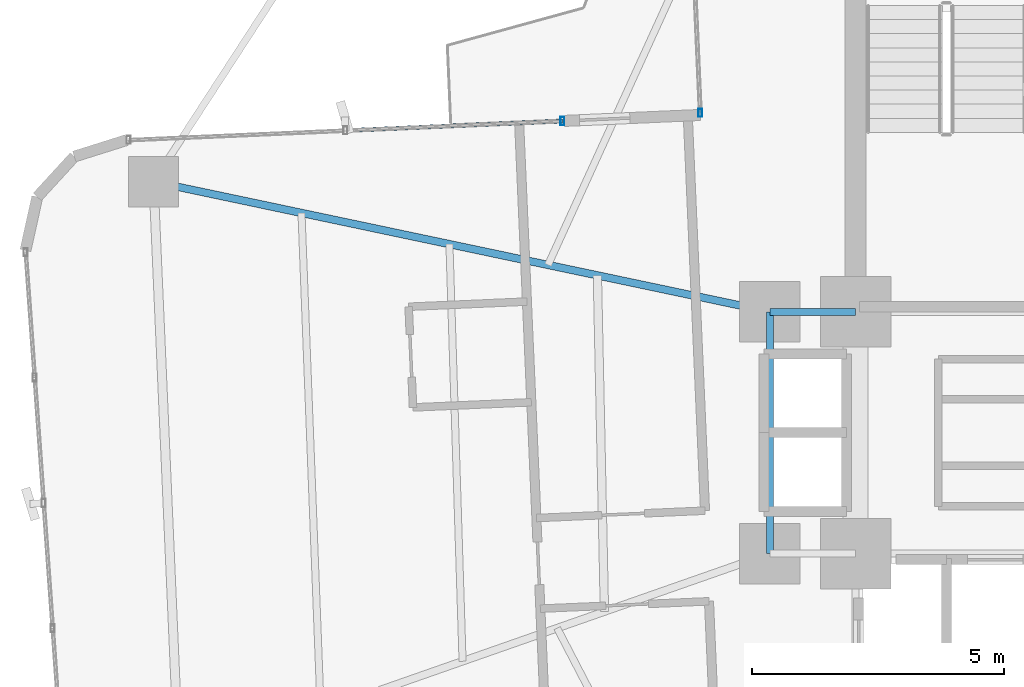
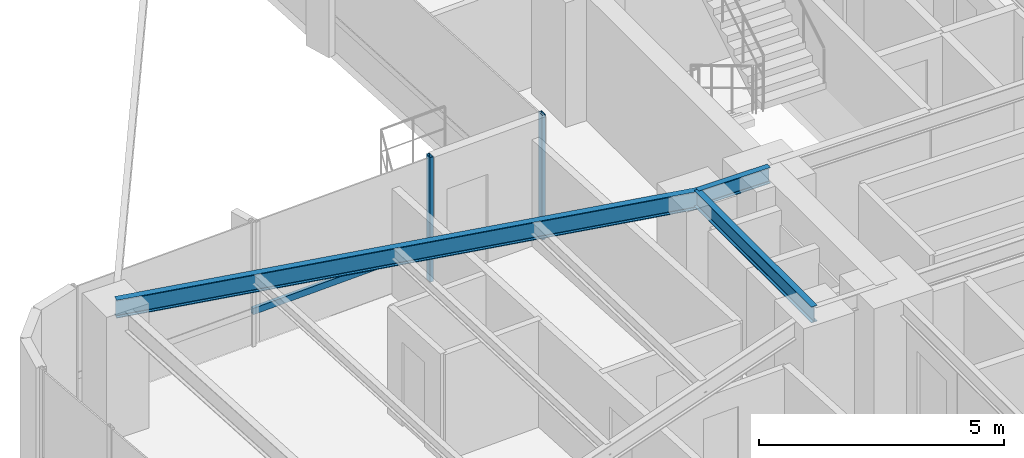
# One storey, part 10 of 26: 3 beams, 3 members, 2 elements without a shape of their own.
"""IFC4 building model written with IfcOpenShell, lengths in metres."""

from ifc_helpers import new_model, si_unit, direction, frame, origin, origin_2d, place, context, subcontext, project, spatial, hollow_rectangle, i_section, extrude, source, transform, mapped, material, material_profile, profile_set, type_object, element, aggregate, save


model = new_model("IFC4")

# Units and contexts
model_context = context("Model", 3, precision=1e-05, world=origin(), true_north=direction((0.0, 1.0)))
body_context = subcontext(model_context, "Body", "Model", "MODEL_VIEW")
ifc_project = project(units=[si_unit("LENGTHUNIT", "METRE"), si_unit("AREAUNIT", "SQUARE_METRE"), si_unit("VOLUMEUNIT", "CUBIC_METRE"), si_unit("PLANEANGLEUNIT", "RADIAN"), si_unit("MASSUNIT", "GRAM", prefix="KILO")], contexts=[model_context])

# Site, building, storey
site_placement = place(None, origin())
site = spatial("IfcSite", under=ifc_project, at=site_placement, CompositionType="ELEMENT")
building_placement = place(site_placement, origin())
building = spatial("IfcBuilding", under=site, at=building_placement, Name="Sahyath Konkavel Grand Hotel", CompositionType="ELEMENT")
storey_placement = place(building_placement, frame((0.0, 0.0, 96.89990234375)))
storey = spatial("IfcBuildingStorey", under=building, at=storey_placement, Name="L26", CompositionType="ELEMENT", Elevation=96.89990234375)

# Beams
ifc_material_1 = material(Name="Steel E350", Category="steel")
ifc_material_profile_1 = material_profile(ifc_material_1, i_section(OverallWidth=0.139892578125, OverallDepth=0.39990234375, WebThickness=0.0087890625, FlangeThickness=0.01611328125, FilletRadius=0.013916015625, at=origin_2d()), Name="ISMB 400")
ifc_profile_set_1 = profile_set([ifc_material_profile_1], Name="Steel E350")
beam_type_1 = type_object("IfcBeamType", Name="BM-ISMB400", PredefinedType="BEAM", material=ifc_profile_set_1)
shared_shape_1 = source(origin(), body_context, "Body", "SweptSolid", [
    extrude(i_section(OverallWidth=0.139892578125, OverallDepth=0.39990234375, WebThickness=0.0087890625, FlangeThickness=0.01611328125, FilletRadius=0.013916015625, at=origin_2d()), origin(), (0.0, 0.0, 1.0), 1.699951171875),
])
beam_1_placement = place(storey_placement, frame((-5.5, 2.39990234375, 2.91015625), z_axis=(1.0, 0.0, 0.0), x_axis=(0.0, 1.0, 0.0)))
element("IfcBeam", 1, at=beam_1_placement, inside=storey, type_object=beam_type_1, Name="str:bm:L26:HB-NW", PredefinedType="BEAM", context=body_context, shape_type="MappedRepresentation", body=[
    mapped(shared_shape_1, transform((0.0, 0.0, 0.0), scale=1.0)),
])
shared_shape_2 = source(origin(), body_context, "Body", "SweptSolid", [
    extrude(i_section(OverallWidth=0.139892578125, OverallDepth=0.39990234375, WebThickness=0.0087890625, FlangeThickness=0.01611328125, FilletRadius=0.013916015625, at=origin_2d()), origin(), (0.0, 0.0, 1.0), 4.7998046875),
])
beam_2_placement = place(storey_placement, frame((-5.5, -2.39990234375, 2.91015625), z_axis=(0.0, 1.0, 0.0), x_axis=(-1.0, 0.0, 0.0)))
element("IfcBeam", 2, at=beam_2_placement, inside=storey, type_object=beam_type_1, Name="str:bm:L26:HB-W", PredefinedType="BEAM", context=body_context, shape_type="MappedRepresentation", body=[
    mapped(shared_shape_2, transform((0.0, 0.0, 0.0), scale=1.0)),
])
ifc_material_profile_2 = material_profile(ifc_material_1, i_section(OverallWidth=0.14990234375, OverallDepth=0.449951171875, WebThickness=0.009521484375, FlangeThickness=0.017333984375, FilletRadius=0.014892578125, at=origin_2d()), Name="ISMB 450")
ifc_profile_set_2 = profile_set([ifc_material_profile_2], Name="Steel E350")
beam_type_2 = type_object("IfcBeamType", Name="BM-ISMB450", PredefinedType="BEAM", material=ifc_profile_set_2)
shared_shape_3 = source(origin(), body_context, "Body", "SweptSolid", [
    extrude(i_section(OverallWidth=0.14990234375, OverallDepth=0.449951171875, WebThickness=0.009521484375, FlangeThickness=0.017333984375, FilletRadius=0.014892578125, at=origin_2d()), origin(), (0.0, 0.0, 1.0), 12.50341796875),
])
beam_3_placement = place(storey_placement, frame((-5.5, 2.39990234375, 2.885009765625), z_axis=(-0.978457911392, 0.206446398937, 0.0), x_axis=(-0.206446398937, -0.978457911392, 0.0)))
element("IfcBeam", 3, at=beam_3_placement, inside=storey, type_object=beam_type_2, Name="L26 Cruciform Radial Girder WA", PredefinedType="BEAM", context=body_context, shape_type="MappedRepresentation", body=[
    mapped(shared_shape_3, transform((0.0, 0.0, 0.0), scale=1.0)),
])

# Curtain wall, member
ifc_material_2 = material(Name="Anodised Bronze Aluminium & Low-E Glazing", Category="aluminium")
curtain_wall_type = type_object("IfcCurtainWallType", Name="CW-ZONE2", PredefinedType="NOTDEFINED", material=ifc_material_2)
curtain_wall_1_placement = place(storey_placement, origin())
curtain_wall_1 = element("IfcCurtainWall", 4, at=curtain_wall_1_placement, inside=storey, type_object=curtain_wall_type, Name="L26 Unitised Curtain Wall F15", PredefinedType="NOTDEFINED")
ifc_material_3 = material(Name="Anodised Bronze Aluminium", Category="aluminium")
ifc_material_profile_3 = material_profile(ifc_material_3, hollow_rectangle(XDim=0.080078125, YDim=0.159912109375, WallThickness=0.006103515625, at=origin_2d()), Name="RHS 160x80x6")
ifc_profile_set_3 = profile_set([ifc_material_profile_3], Name="Anodised Bronze Aluminium")
member_type_1 = type_object("IfcMemberType", Name="CW-MUL-160", PredefinedType="MULLION", material=ifc_profile_set_3)
shared_shape_4 = source(origin(), body_context, "Body", "SweptSolid", [
    extrude(hollow_rectangle(XDim=0.080078125, YDim=0.159912109375, WallThickness=0.006103515625, at=origin_2d()), origin(), (0.0, 0.0, 1.0), 3.110107421875),
])
member_1_placement = place(storey_placement, frame((-6.88330078125, 6.345703125, 0.0), z_axis=(0.0, 0.0, 1.0), x_axis=(1.0, 0.0, 0.0)))
member_1 = element("IfcMember", 5, at=member_1_placement, type_object=member_type_1, Name="L26 Curtain Wall Mullion F15-2", PredefinedType="MULLION", context=body_context, shape_type="MappedRepresentation", body=[
    mapped(shared_shape_4, transform((0.0, 0.0, 0.0), scale=1.0)),
])
aggregate(curtain_wall_1, [member_1])

# Curtain wall, members
curtain_wall_2_placement = place(storey_placement, origin())
curtain_wall_2 = element("IfcCurtainWall", 6, at=curtain_wall_2_placement, inside=storey, type_object=curtain_wall_type, Name="L26 Unitised Curtain Wall F16", PredefinedType="NOTDEFINED")
member_2_placement = place(storey_placement, frame((-9.618896484375, 6.186279296875, 0.0), z_axis=(0.0, 0.0, 1.0), x_axis=(1.0, 0.0, 0.0)))
member_2 = element("IfcMember", 7, at=member_2_placement, type_object=member_type_1, Name="L26 Curtain Wall Mullion F16-0", PredefinedType="MULLION", context=body_context, shape_type="MappedRepresentation", body=[
    mapped(shared_shape_4, transform((0.0, 0.0, 0.0), scale=1.0)),
])
ifc_material_profile_4 = material_profile(ifc_material_3, hollow_rectangle(XDim=0.080078125, YDim=0.159912109375, WallThickness=0.006103515625, at=origin_2d()), Name="RHS 160x80x6")
ifc_profile_set_4 = profile_set([ifc_material_profile_4], Name="Anodised Bronze Aluminium")
member_type_2 = type_object("IfcMemberType", Name="CW-TRN-160", PredefinedType="USERDEFINED", material=ifc_profile_set_4)
shared_shape_5 = source(origin(), body_context, "Body", "SweptSolid", [
    extrude(hollow_rectangle(XDim=0.080078125, YDim=0.159912109375, WallThickness=0.006103515625, at=origin_2d()), origin(), (0.0, 0.0, 1.0), 4.31005859375),
])
member_3_placement = place(storey_placement, frame((-9.618896484375, 6.186279296875, 0.85009765625), z_axis=(-0.999048340188, -0.043616670746, 0.0), x_axis=(0.043616670746, -0.999048340188, 0.0)))
member_3 = element("IfcMember", 8, at=member_3_placement, type_object=member_type_2, Name="L26 Curtain Wall Transom F16-0-spandrel", ObjectType="TRANSOM", PredefinedType="USERDEFINED", context=body_context, shape_type="MappedRepresentation", body=[
    mapped(shared_shape_5, transform((0.0, 0.0, 0.0), scale=1.0)),
])
aggregate(curtain_wall_2, [member_2, member_3])

save(model, "model.ifc")
